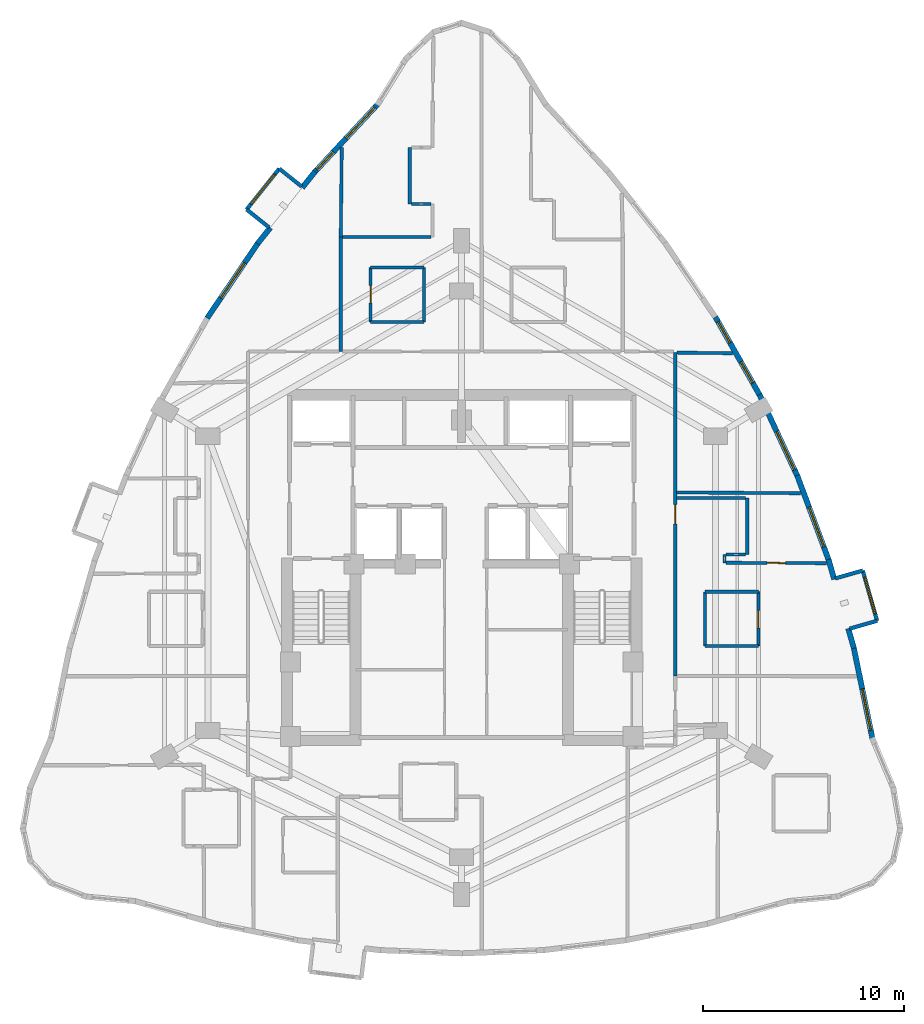
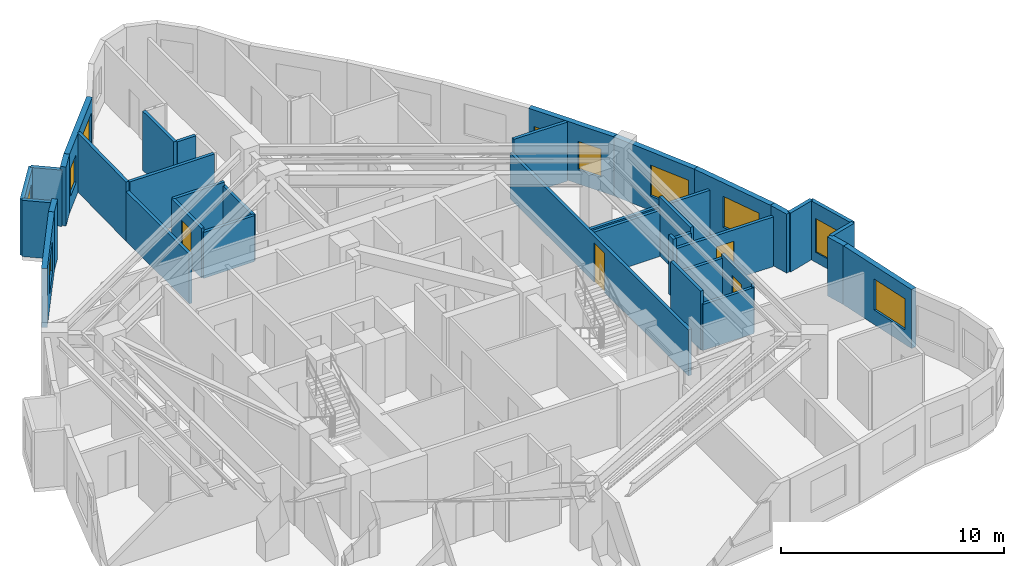
# One storey, part 12 of 14: 37 walls, 10 windows, 4 doors, 14 openings.
"""IFC4 building model written with IfcOpenShell, lengths in metres."""

from ifc_helpers import new_model, si_unit, direction, frame, frame_2d, origin, place, context, subcontext, project, spatial, rectangle, extrude, material, layer, layer_set, type_object, element, fill, save


model = new_model("IFC4")

# Units and contexts
model_context = context("Model", 3, precision=1e-05, world=origin(), true_north=direction((0.0, 1.0)))
body_context = subcontext(model_context, "Body", "Model", "MODEL_VIEW")
ifc_project = project(units=[si_unit("LENGTHUNIT", "METRE"), si_unit("AREAUNIT", "SQUARE_METRE"), si_unit("VOLUMEUNIT", "CUBIC_METRE"), si_unit("PLANEANGLEUNIT", "RADIAN"), si_unit("MASSUNIT", "GRAM", prefix="KILO")], contexts=[model_context])

# Site, building, storey
site_placement = place(None, origin())
site = spatial("IfcSite", under=ifc_project, at=site_placement, CompositionType="ELEMENT")
building_placement = place(site_placement, origin())
building = spatial("IfcBuilding", under=site, at=building_placement, Name="Miruveldt Soraemaru", CompositionType="ELEMENT")
storey_placement = place(building_placement, frame((0.0, 0.0, 131.89990234375)))
storey = spatial("IfcBuildingStorey", under=building, at=storey_placement, Name="L36", CompositionType="ELEMENT", Elevation=131.89990234375)

# Walls
ifc_material_1 = material(Name="White powder-coated aluminium EN AW-6060 T6", Category="aluminium")
ifc_layer_1 = layer(ifc_material_1, 0.18994140625, Name="White powder-coated aluminium EN AW-6060 T6", Category="aluminium")
ifc_layer_set_1 = layer_set([ifc_layer_1], Name="White powder-coated aluminium EN AW-6060 T6")
wall_type_1 = type_object("IfcWallType", Name="WALL-BAY-ALU190", PredefinedType="SOLIDWALL", material=ifc_layer_set_1)
for number, where, z_axis, x_axis, name in (
    (1, (36.060791015625, 62.7958984375, 0.0), (0.0, 0.0, 1.0), (-0.781737193764, 0.623608017817, 0.0), "L36 Bay Window Side Cheek 1L"),
    (2, (33.325439453125, 61.652099609375, 0.0), (0.0, 0.0, 1.0), (0.781737193764, -0.623608017817, 0.0), "L36 Bay Window Side Cheek 1R"),
):
    element("IfcWall", number, at=place(storey_placement, frame(where, z_axis=z_axis, x_axis=x_axis)), inside=storey, type_object=wall_type_1, Name=name, PredefinedType="SOLIDWALL", context=body_context, shape_type="SweptSolid", body=[
        extrude(rectangle(XDim=1.425048828125, YDim=0.18994140625, at=frame_2d((0.71240234375, 0.0))), origin(), (0.0, 0.0, 1.0), 3.085205078125),
    ])

# Wall, opening, window
wall_1_placement = place(storey_placement, frame((34.94677734375, 63.6845703125, 0.0), z_axis=(0.0, 0.0, 1.0), x_axis=(-0.623606546405, -0.781738367538, 0.0)))
wall_1 = element("IfcWall", 3, at=wall_1_placement, inside=storey, type_object=wall_type_1, Name="L36 Bay Window Front Frame 1", PredefinedType="SOLIDWALL", context=body_context, shape_type="SweptSolid", body=[
    extrude(rectangle(XDim=2.599853515625, YDim=0.18994140625, at=frame_2d((1.2998046875, 0.0))), origin(), (0.0, 0.0, 1.0), 3.085205078125),
])
opening_1_placement = place(wall_1_placement, frame((0.35009765625, 0.0, 0.550048828125)))
opening_1 = element("IfcOpeningElement", 4, at=opening_1_placement, cuts=wall_1, Name="Opening WN-6", PredefinedType="OPENING", context=body_context, shape_type="SweptSolid", body=[
    extrude(rectangle(XDim=1.89990234375, YDim=1.85009765625, at=frame_2d((0.949951171875, 0.925048828125))), frame((0.0, 0.10498046875, 0.0), z_axis=(0.0, -1.0, 0.0), x_axis=(1.0, 0.0, 0.0)), (0.0, 0.0, 1.0), 0.2099609375),
])
ifc_material_2 = material(Name="Triple low-e insulated glazing", Category="glass")
window_type_1 = type_object("IfcWindowType", Name="WIN-BAYW-1900x1850", PartitioningType="SINGLE_PANEL", PredefinedType="WINDOW", material=ifc_material_2)
window_1_placement = place(opening_1_placement, origin())
window_1 = element("IfcWindow", 5, at=window_1_placement, inside=storey, type_object=window_type_1, Name="L36 Projecting Bay Window 1", OverallHeight=1.85009765625, OverallWidth=1.89990234375, PartitioningType="SINGLE_PANEL", PredefinedType="WINDOW", context=body_context, shape_type="SweptSolid", body=[
    extrude(rectangle(XDim=1.89990234375, YDim=1.85009765625, at=frame_2d((0.949951171875, 0.925048828125))), frame((0.0, 0.030029296875, 0.0), z_axis=(0.0, -1.0, 0.0), x_axis=(1.0, 0.0, 0.0)), (0.0, 0.0, 1.0), 0.06005859375),
])
fill(opening_1, window_1)

# Walls
for number, where, z_axis, x_axis, name in (
    (6, (63.25537109375, 40.84375, 0.0), (0.0, 0.0, 1.0), (0.961452801096, 0.274970018845, 0.0), "L36 Bay Window Side Cheek 4L"),
    (7, (63.910400390625, 43.7353515625, 0.0), (0.0, 0.0, 1.0), (-0.961452801096, -0.274970018845, 0.0), "L36 Bay Window Side Cheek 4R"),
):
    element("IfcWall", number, at=place(storey_placement, frame(where, z_axis=z_axis, x_axis=x_axis)), inside=storey, type_object=wall_type_1, Name=name, PredefinedType="SOLIDWALL", context=body_context, shape_type="SweptSolid", body=[
        extrude(rectangle(XDim=1.425048828125, YDim=0.18994140625, at=frame_2d((0.71240234375, 0.0))), origin(), (0.0, 0.0, 1.0), 3.235107421875),
    ])

# Wall, opening, window
wall_2_placement = place(storey_placement, frame((64.62548828125, 41.235595703125, 0.0), z_axis=(0.0, 0.0, 1.0), x_axis=(-0.275031158597, 0.961435313373, 0.0)))
wall_2 = element("IfcWall", 8, at=wall_2_placement, inside=storey, type_object=wall_type_1, Name="L36 Bay Window Front Frame 4", PredefinedType="SOLIDWALL", context=body_context, shape_type="SweptSolid", body=[
    extrude(rectangle(XDim=2.60009765625, YDim=0.18994140625, at=frame_2d((1.300048828125, 0.0))), origin(), (0.0, 0.0, 1.0), 3.235107421875),
])
opening_2_placement = place(wall_2_placement, frame((0.35009765625, 0.0, 0.550048828125)))
opening_2 = element("IfcOpeningElement", 9, at=opening_2_placement, cuts=wall_2, Name="Opening WN-6", PredefinedType="OPENING", context=body_context, shape_type="SweptSolid", body=[
    extrude(rectangle(XDim=1.89990234375, YDim=1.85009765625, at=frame_2d((0.949951171875, 0.925048828125))), frame((0.0, 0.10498046875, 0.0), z_axis=(0.0, -1.0, 0.0), x_axis=(1.0, 0.0, 0.0)), (0.0, 0.0, 1.0), 0.2099609375),
])
window_2_placement = place(opening_2_placement, origin())
window_2 = element("IfcWindow", 10, at=window_2_placement, inside=storey, type_object=window_type_1, Name="L36 Projecting Bay Window 4", OverallHeight=1.85009765625, OverallWidth=1.89990234375, PartitioningType="SINGLE_PANEL", PredefinedType="WINDOW", context=body_context, shape_type="SweptSolid", body=[
    extrude(rectangle(XDim=1.89990234375, YDim=1.85009765625, at=frame_2d((0.949951171875, 0.925048828125))), frame((0.0, 0.030029296875, 0.0), z_axis=(0.0, -1.0, 0.0), x_axis=(1.0, 0.0, 0.0)), (0.0, 0.0, 1.0), 0.06005859375),
])
fill(opening_2, window_2)

# Wall, openings, windows
ifc_material_3 = material(Name="Precast concrete C45/55 (45 MPa)", Category="concrete")
ifc_layer_2 = layer(ifc_material_3, 0.27001953125, Name="Precast concrete C45/55 (45 MPa)", Category="concrete")
ifc_layer_set_2 = layer_set([ifc_layer_2], Name="Precast concrete C45/55 (45 MPa)")
wall_type_2 = type_object("IfcWallType", Name="WALL-EXT-PC270", PredefinedType="SOLIDWALL", material=ifc_layer_set_2)
wall_3_placement = place(storey_placement, frame((39.85302734375, 66.900390625, 0.0), z_axis=(0.0, 0.0, 1.0), x_axis=(-0.680890565033, -0.732385170828, 0.0)))
wall_3 = element("IfcWall", 11, at=wall_3_placement, inside=storey, type_object=wall_type_2, Name="L36 Precast Concrete Facade Wall 7", PredefinedType="SOLIDWALL", context=body_context, shape_type="SweptSolid", body=[
    extrude(rectangle(XDim=4.665283203125, YDim=0.27001953125, at=frame_2d((2.33251953125, 0.0))), origin(), (0.0, 0.0, 1.0), 3.235107421875),
])
opening_3_placement = place(wall_3_placement, frame((0.23388671875, 0.0, 0.800048828125)))
opening_3 = element("IfcOpeningElement", 12, at=opening_3_placement, cuts=wall_3, Name="Opening WN-1", PredefinedType="OPENING", context=body_context, shape_type="SweptSolid", body=[
    extrude(rectangle(XDim=2.10009765625, YDim=1.699951171875, at=frame_2d((1.050048828125, 0.85009765625))), frame((0.0, 0.14501953125, 0.0), z_axis=(0.0, -1.0, 0.0), x_axis=(1.0, 0.0, 0.0)), (0.0, 0.0, 1.0), 0.2900390625),
])
opening_4_placement = place(wall_3_placement, frame((3.257080078125, 0.0, 0.780029296875)))
opening_4 = element("IfcOpeningElement", 13, at=opening_4_placement, cuts=wall_3, Name="Opening WN-4", PredefinedType="OPENING", context=body_context, shape_type="SweptSolid", body=[
    extrude(rectangle(XDim=1.199951171875, YDim=1.550048828125, at=frame_2d((0.60009765625, 0.77490234375))), frame((0.0, 0.14501953125, 0.0), z_axis=(0.0, -1.0, 0.0), x_axis=(1.0, 0.0, 0.0)), (0.0, 0.0, 1.0), 0.2900390625),
])
window_type_2 = type_object("IfcWindowType", Name="WIN-PUNCH-1200x1550", PartitioningType="SINGLE_PANEL", PredefinedType="WINDOW", material=ifc_material_2)
window_3_placement = place(opening_4_placement, origin())
window_3 = element("IfcWindow", 14, at=window_3_placement, inside=storey, type_object=window_type_2, Name="L36 Punched Triple-Glazed Window 07.2", OverallHeight=1.550048828125, OverallWidth=1.199951171875, PartitioningType="SINGLE_PANEL", PredefinedType="WINDOW", context=body_context, shape_type="SweptSolid", body=[
    extrude(rectangle(XDim=1.199951171875, YDim=1.550048828125, at=frame_2d((0.60009765625, 0.77490234375))), frame((0.0, 0.030029296875, 0.0), z_axis=(0.0, -1.0, 0.0), x_axis=(1.0, 0.0, 0.0)), (0.0, 0.0, 1.0), 0.06005859375),
])
fill(opening_4, window_3)
window_type_3 = type_object("IfcWindowType", Name="WIN-PUNCH-2100x1700", PartitioningType="SINGLE_PANEL", PredefinedType="WINDOW", material=ifc_material_2)
window_4_placement = place(opening_3_placement, origin())
window_4 = element("IfcWindow", 15, at=window_4_placement, inside=storey, type_object=window_type_3, Name="L36 Punched Triple-Glazed Window 07.1", OverallHeight=1.699951171875, OverallWidth=2.10009765625, PartitioningType="SINGLE_PANEL", PredefinedType="WINDOW", context=body_context, shape_type="SweptSolid", body=[
    extrude(rectangle(XDim=2.10009765625, YDim=1.699951171875, at=frame_2d((1.050048828125, 0.85009765625))), frame((0.0, 0.030029296875, 0.0), z_axis=(0.0, -1.0, 0.0), x_axis=(1.0, 0.0, 0.0)), (0.0, 0.0, 1.0), 0.06005859375),
])
fill(opening_3, window_4)

# Walls
for number, where, z_axis, x_axis, name in (
    (16, (36.72216796875, 63.53662109375, 0.0), (0.0, 0.0, 1.0), (-0.623557666191, -0.78177735765, 0.0), "L36 Precast Pier Wall 8A"),
    (17, (34.501220703125, 60.752685546875, 0.0), (0.0, 0.0, 1.0), (-0.623557666191, -0.78177735765, 0.0), "L36 Precast Pier Wall 8B"),
):
    element("IfcWall", number, at=place(storey_placement, frame(where, z_axis=z_axis, x_axis=x_axis)), inside=storey, type_object=wall_type_2, Name=name, PredefinedType="SOLIDWALL", context=body_context, shape_type="SweptSolid", body=[
        extrude(rectangle(XDim=1.021484375, YDim=0.27001953125, at=frame_2d((0.5107421875, 0.0))), origin(), (0.0, 0.0, 1.0), 3.235107421875),
    ])

# Wall, opening, window
wall_4_placement = place(storey_placement, frame((33.905517578125, 60.010498046875, 0.0), z_axis=(0.0, 0.0, 1.0), x_axis=(-0.560820718135, -0.82793726943, 0.0)))
wall_4 = element("IfcWall", 18, at=wall_4_placement, inside=storey, type_object=wall_type_2, Name="L36 Precast Concrete Facade Wall 9", PredefinedType="SOLIDWALL", context=body_context, shape_type="SweptSolid", body=[
    extrude(rectangle(XDim=4.52685546875, YDim=0.27001953125, at=frame_2d((2.263427734375, 0.0))), origin(), (0.0, 0.0, 1.0), 3.235107421875),
])
opening_5_placement = place(wall_4_placement, frame((1.214111328125, 0.0, 0.800048828125)))
opening_5 = element("IfcOpeningElement", 19, at=opening_5_placement, cuts=wall_4, Name="Opening WN-1", PredefinedType="OPENING", context=body_context, shape_type="SweptSolid", body=[
    extrude(rectangle(XDim=2.10009765625, YDim=1.699951171875, at=frame_2d((1.050048828125, 0.85009765625))), frame((0.0, 0.14501953125, 0.0), z_axis=(0.0, -1.0, 0.0), x_axis=(1.0, 0.0, 0.0)), (0.0, 0.0, 1.0), 0.2900390625),
])
window_5_placement = place(opening_5_placement, origin())
window_5 = element("IfcWindow", 20, at=window_5_placement, inside=storey, type_object=window_type_3, Name="L36 Punched Triple-Glazed Window 09.1", OverallHeight=1.699951171875, OverallWidth=2.10009765625, PartitioningType="SINGLE_PANEL", PredefinedType="WINDOW", context=body_context, shape_type="SweptSolid", body=[
    extrude(rectangle(XDim=2.10009765625, YDim=1.699951171875, at=frame_2d((1.050048828125, 0.85009765625))), frame((0.0, 0.030029296875, 0.0), z_axis=(0.0, -1.0, 0.0), x_axis=(1.0, 0.0, 0.0)), (0.0, 0.0, 1.0), 0.06005859375),
])
fill(opening_5, window_5)

wall_5_placement = place(storey_placement, frame((64.398681640625, 35.37353515625, 0.0), z_axis=(0.0, 0.0, 1.0), x_axis=(-0.201567284441, 0.979474670343, 0.0)))
wall_5 = element("IfcWall", 21, at=wall_5_placement, inside=storey, type_object=wall_type_2, Name="L36 Precast Concrete Facade Wall 35", PredefinedType="SOLIDWALL", context=body_context, shape_type="SweptSolid", body=[
    extrude(rectangle(XDim=4.66552734375, YDim=0.27001953125, at=frame_2d((2.332763671875, 0.0))), origin(), (0.0, 0.0, 1.0), 3.235107421875),
])
opening_6_placement = place(wall_5_placement, frame((0.43505859375, 0.0, 0.800048828125)))
opening_6 = element("IfcOpeningElement", 22, at=opening_6_placement, cuts=wall_5, Name="Opening WN-1", PredefinedType="OPENING", context=body_context, shape_type="SweptSolid", body=[
    extrude(rectangle(XDim=2.10009765625, YDim=1.699951171875, at=frame_2d((1.050048828125, 0.85009765625))), frame((0.0, 0.14501953125, 0.0), z_axis=(0.0, -1.0, 0.0), x_axis=(1.0, 0.0, 0.0)), (0.0, 0.0, 1.0), 0.2900390625),
])
window_6_placement = place(opening_6_placement, origin())
window_6 = element("IfcWindow", 23, at=window_6_placement, inside=storey, type_object=window_type_3, Name="L36 Punched Triple-Glazed Window 35.1", OverallHeight=1.699951171875, OverallWidth=2.10009765625, PartitioningType="SINGLE_PANEL", PredefinedType="WINDOW", context=body_context, shape_type="SweptSolid", body=[
    extrude(rectangle(XDim=2.10009765625, YDim=1.699951171875, at=frame_2d((1.050048828125, 0.85009765625))), frame((0.0, 0.030029296875, 0.0), z_axis=(0.0, -1.0, 0.0), x_axis=(1.0, 0.0, 0.0)), (0.0, 0.0, 1.0), 0.06005859375),
])
fill(opening_6, window_6)

# Walls
wall_6_placement = place(storey_placement, frame((63.47509765625, 39.875244140625, 0.0), z_axis=(0.0, 0.0, 1.0), x_axis=(-0.275068310287, 0.961424684869, 0.0)))
element("IfcWall", 24, at=wall_6_placement, inside=storey, type_object=wall_type_2, Name="L36 Precast Pier Wall 36A", PredefinedType="SOLIDWALL", context=body_context, shape_type="SweptSolid", body=[
    extrude(rectangle(XDim=1.021484375, YDim=0.27001953125, at=frame_2d((0.5107421875, 0.0))), origin(), (0.0, 0.0, 1.0), 3.235107421875),
])
wall_7_placement = place(storey_placement, frame((62.49560546875, 43.299560546875, 0.0), z_axis=(0.0, 0.0, 1.0), x_axis=(-0.274910560524, 0.961469803849, 0.0)))
element("IfcWall", 25, at=wall_7_placement, inside=storey, type_object=wall_type_2, Name="L36 Precast Pier Wall 36B", PredefinedType="SOLIDWALL", context=body_context, shape_type="SweptSolid", body=[
    extrude(rectangle(XDim=1.021240234375, YDim=0.27001953125, at=frame_2d((0.5107421875, 0.0))), origin(), (0.0, 0.0, 1.0), 3.235107421875),
])

# Wall, opening, window
wall_8_placement = place(storey_placement, frame((62.23681640625, 44.215087890625, 0.0), z_axis=(0.0, 0.0, 1.0), x_axis=(-0.349071881832, 0.937095950965, 0.0)))
wall_8 = element("IfcWall", 26, at=wall_8_placement, inside=storey, type_object=wall_type_2, Name="L36 Precast Concrete Facade Wall 37", PredefinedType="SOLIDWALL", context=body_context, shape_type="SweptSolid", body=[
    extrude(rectangle(XDim=4.527099609375, YDim=0.27001953125, at=frame_2d((2.263671875, 0.0))), origin(), (0.0, 0.0, 1.0), 3.235107421875),
])
opening_7_placement = place(wall_8_placement, frame((0.736083984375, 0.0, 0.800048828125)))
opening_7 = element("IfcOpeningElement", 27, at=opening_7_placement, cuts=wall_8, Name="Opening WN-1", PredefinedType="OPENING", context=body_context, shape_type="SweptSolid", body=[
    extrude(rectangle(XDim=2.10009765625, YDim=1.699951171875, at=frame_2d((1.050048828125, 0.85009765625))), frame((0.0, 0.14501953125, 0.0), z_axis=(0.0, -1.0, 0.0), x_axis=(1.0, 0.0, 0.0)), (0.0, 0.0, 1.0), 0.2900390625),
])
window_7_placement = place(opening_7_placement, origin())
window_7 = element("IfcWindow", 28, at=window_7_placement, inside=storey, type_object=window_type_3, Name="L36 Punched Triple-Glazed Window 37.1", OverallHeight=1.699951171875, OverallWidth=2.10009765625, PartitioningType="SINGLE_PANEL", PredefinedType="WINDOW", context=body_context, shape_type="SweptSolid", body=[
    extrude(rectangle(XDim=2.10009765625, YDim=1.699951171875, at=frame_2d((1.050048828125, 0.85009765625))), frame((0.0, 0.030029296875, 0.0), z_axis=(0.0, -1.0, 0.0), x_axis=(1.0, 0.0, 0.0)), (0.0, 0.0, 1.0), 0.06005859375),
])
fill(opening_7, window_7)

wall_9_placement = place(storey_placement, frame((60.68359375, 48.392822265625, 0.0), z_axis=(0.0, 0.0, 1.0), x_axis=(-0.422317939259, 0.90644776914, 0.0)))
wall_9 = element("IfcWall", 29, at=wall_9_placement, inside=storey, type_object=wall_type_2, Name="L36 Precast Concrete Facade Wall 38", PredefinedType="SOLIDWALL", context=body_context, shape_type="SweptSolid", body=[
    extrude(rectangle(XDim=4.498779296875, YDim=0.27001953125, at=frame_2d((2.24951171875, 0.0))), origin(), (0.0, 0.0, 1.0), 3.235107421875),
])
opening_8_placement = place(wall_9_placement, frame((0.376953125, 0.0, 0.800048828125)))
opening_8 = element("IfcOpeningElement", 30, at=opening_8_placement, cuts=wall_9, Name="Opening WN-1", PredefinedType="OPENING", context=body_context, shape_type="SweptSolid", body=[
    extrude(rectangle(XDim=2.10009765625, YDim=1.699951171875, at=frame_2d((1.050048828125, 0.85009765625))), frame((0.0, 0.14501953125, 0.0), z_axis=(0.0, -1.0, 0.0), x_axis=(1.0, 0.0, 0.0)), (0.0, 0.0, 1.0), 0.2900390625),
])
window_8_placement = place(opening_8_placement, origin())
window_8 = element("IfcWindow", 31, at=window_8_placement, inside=storey, type_object=window_type_3, Name="L36 Punched Triple-Glazed Window 38.1", OverallHeight=1.699951171875, OverallWidth=2.10009765625, PartitioningType="SINGLE_PANEL", PredefinedType="WINDOW", context=body_context, shape_type="SweptSolid", body=[
    extrude(rectangle(XDim=2.10009765625, YDim=1.699951171875, at=frame_2d((1.050048828125, 0.85009765625))), frame((0.0, 0.030029296875, 0.0), z_axis=(0.0, -1.0, 0.0), x_axis=(1.0, 0.0, 0.0)), (0.0, 0.0, 1.0), 0.06005859375),
])
fill(opening_8, window_8)

# Wall, openings, windows
wall_10_placement = place(storey_placement, frame((58.81591796875, 52.40869140625, 0.0), z_axis=(0.0, 0.0, 1.0), x_axis=(-0.493401387578, 0.869801742201, 0.0)))
wall_10 = element("IfcWall", 32, at=wall_10_placement, inside=storey, type_object=wall_type_2, Name="L36 Precast Concrete Facade Wall 39", PredefinedType="SOLIDWALL", context=body_context, shape_type="SweptSolid", body=[
    extrude(rectangle(XDim=4.498779296875, YDim=0.27001953125, at=frame_2d((2.24951171875, 0.0))), origin(), (0.0, 0.0, 1.0), 3.235107421875),
])
opening_9_placement = place(wall_10_placement, frame((0.73291015625, 0.0, 0.780029296875)))
opening_9 = element("IfcOpeningElement", 33, at=opening_9_placement, cuts=wall_10, Name="Opening WN-4", PredefinedType="OPENING", context=body_context, shape_type="SweptSolid", body=[
    extrude(rectangle(XDim=1.199951171875, YDim=1.550048828125, at=frame_2d((0.60009765625, 0.77490234375))), frame((0.0, 0.14501953125, 0.0), z_axis=(0.0, -1.0, 0.0), x_axis=(1.0, 0.0, 0.0)), (0.0, 0.0, 1.0), 0.2900390625),
])
opening_10_placement = place(wall_10_placement, frame((3.02490234375, 0.0, 0.780029296875)))
opening_10 = element("IfcOpeningElement", 34, at=opening_10_placement, cuts=wall_10, Name="Opening WN-4", PredefinedType="OPENING", context=body_context, shape_type="SweptSolid", body=[
    extrude(rectangle(XDim=1.199951171875, YDim=1.550048828125, at=frame_2d((0.60009765625, 0.77490234375))), frame((0.0, 0.14501953125, 0.0), z_axis=(0.0, -1.0, 0.0), x_axis=(1.0, 0.0, 0.0)), (0.0, 0.0, 1.0), 0.2900390625),
])
window_9_placement = place(opening_9_placement, origin())
window_9 = element("IfcWindow", 35, at=window_9_placement, inside=storey, type_object=window_type_2, Name="L36 Punched Triple-Glazed Window 39.1", OverallHeight=1.550048828125, OverallWidth=1.199951171875, PartitioningType="SINGLE_PANEL", PredefinedType="WINDOW", context=body_context, shape_type="SweptSolid", body=[
    extrude(rectangle(XDim=1.199951171875, YDim=1.550048828125, at=frame_2d((0.60009765625, 0.77490234375))), frame((0.0, 0.030029296875, 0.0), z_axis=(0.0, -1.0, 0.0), x_axis=(1.0, 0.0, 0.0)), (0.0, 0.0, 1.0), 0.06005859375),
])
fill(opening_9, window_9)
window_10_placement = place(opening_10_placement, origin())
window_10 = element("IfcWindow", 36, at=window_10_placement, inside=storey, type_object=window_type_2, Name="L36 Punched Triple-Glazed Window 39.2", OverallHeight=1.550048828125, OverallWidth=1.199951171875, PartitioningType="SINGLE_PANEL", PredefinedType="WINDOW", context=body_context, shape_type="SweptSolid", body=[
    extrude(rectangle(XDim=1.199951171875, YDim=1.550048828125, at=frame_2d((0.60009765625, 0.77490234375))), frame((0.0, 0.030029296875, 0.0), z_axis=(0.0, -1.0, 0.0), x_axis=(1.0, 0.0, 0.0)), (0.0, 0.0, 1.0), 0.06005859375),
])
fill(opening_10, window_10)

# Wall, opening, door
ifc_material_4 = material(Name="Gypsum plasterboard lining", Category="gypsum")
ifc_layer_3 = layer(ifc_material_4, 0.14990234375, Name="Gypsum plasterboard lining", Category="gypsum")
ifc_layer_set_3 = layer_set([ifc_layer_3], Name="Gypsum plasterboard lining")
wall_type_3 = type_object("IfcWallType", Name="WALL-INT-PLUMB", PredefinedType="PLUMBINGWALL", material=ifc_layer_set_3)
wall_11_placement = place(storey_placement, frame((39.47998046875, 58.780029296875, 0.0), z_axis=(0.0, 0.0, 1.0), x_axis=(0.0, -1.0, 0.0)))
wall_11 = element("IfcWall", 37, at=wall_11_placement, inside=storey, type_object=wall_type_3, Name="L36 Partition Wall 19", PredefinedType="PLUMBINGWALL", context=body_context, shape_type="SweptSolid", body=[
    extrude(rectangle(XDim=2.699951171875, YDim=0.14990234375, at=frame_2d((1.35009765625, 0.0))), origin(), (0.0, 0.0, 1.0), 2.72314453125),
])
opening_11_placement = place(wall_11_placement, frame((0.909912109375, 0.0, 0.0)))
opening_11 = element("IfcOpeningElement", 38, at=opening_11_placement, cuts=wall_11, Name="Opening FD3", PredefinedType="OPENING", context=body_context, shape_type="SweptSolid", body=[
    extrude(rectangle(XDim=0.85009765625, YDim=2.10009765625, at=frame_2d((0.425048828125, 1.050048828125))), frame((0.0, 0.0849609375, 0.0), z_axis=(0.0, -1.0, 0.0), x_axis=(1.0, 0.0, 0.0)), (0.0, 0.0, 1.0), 0.169921875),
])
ifc_material_5 = material(Name="Anodised aluminium EN AW-6063 T6", Category="aluminium")
door_type_1 = type_object("IfcDoorType", Name="DOOR-FD3-850", OperationType="NOTDEFINED", PredefinedType="DOOR", material=ifc_material_5)
door_1_placement = place(opening_11_placement, origin())
door_1 = element("IfcDoor", 39, at=door_1_placement, inside=storey, type_object=door_type_1, Name="L36 Unit 3602 BTH Door", OperationType="SINGLE_SWING_LEFT", OverallHeight=2.10009765625, OverallWidth=0.85009765625, PredefinedType="DOOR", context=body_context, shape_type="SweptSolid", body=[
    extrude(rectangle(XDim=0.85009765625, YDim=2.10009765625, at=frame_2d((0.425048828125, 1.050048828125))), frame((0.0, 0.02490234375, 0.0), z_axis=(0.0, -1.0, 0.0), x_axis=(1.0, 0.0, 0.0)), (0.0, 0.0, 1.0), 0.050048828125),
])
fill(opening_11, door_1)

wall_12_placement = place(storey_placement, frame((58.72998046875, 39.97998046875, 0.0), z_axis=(0.0, 0.0, 1.0), x_axis=(0.0, 1.0, 0.0)))
wall_12 = element("IfcWall", 40, at=wall_12_placement, inside=storey, type_object=wall_type_3, Name="L36 Partition Wall 50", PredefinedType="PLUMBINGWALL", context=body_context, shape_type="SweptSolid", body=[
    extrude(rectangle(XDim=2.699951171875, YDim=0.14990234375, at=frame_2d((1.35009765625, 0.0))), origin(), (0.0, 0.0, 1.0), 2.72314453125),
])
opening_12_placement = place(wall_12_placement, frame((0.909912109375, 0.0, 0.0)))
opening_12 = element("IfcOpeningElement", 41, at=opening_12_placement, cuts=wall_12, Name="Opening FD3", PredefinedType="OPENING", context=body_context, shape_type="SweptSolid", body=[
    extrude(rectangle(XDim=0.85009765625, YDim=2.10009765625, at=frame_2d((0.425048828125, 1.050048828125))), frame((0.0, 0.0849609375, 0.0), z_axis=(0.0, -1.0, 0.0), x_axis=(1.0, 0.0, 0.0)), (0.0, 0.0, 1.0), 0.169921875),
])
door_2_placement = place(opening_12_placement, origin())
door_2 = element("IfcDoor", 42, at=door_2_placement, inside=storey, type_object=door_type_1, Name="L36 Unit 3606 BTH Door", OperationType="SINGLE_SWING_LEFT", OverallHeight=2.10009765625, OverallWidth=0.85009765625, PredefinedType="DOOR", context=body_context, shape_type="SweptSolid", body=[
    extrude(rectangle(XDim=0.85009765625, YDim=2.10009765625, at=frame_2d((0.425048828125, 1.050048828125))), frame((0.0, 0.02490234375, 0.0), z_axis=(0.0, -1.0, 0.0), x_axis=(1.0, 0.0, 0.0)), (0.0, 0.0, 1.0), 0.050048828125),
])
fill(opening_12, door_2)

# Walls
wall_13_placement = place(storey_placement, frame((42.1298828125, 56.080078125, 0.0), z_axis=(0.0, 0.0, 1.0), x_axis=(0.0, 1.0, 0.0)))
element("IfcWall", 43, at=wall_13_placement, inside=storey, type_object=wall_type_3, Name="L36 Partition Wall 17", PredefinedType="PLUMBINGWALL", context=body_context, shape_type="SweptSolid", body=[
    extrude(rectangle(XDim=2.699951171875, YDim=0.14990234375, at=frame_2d((1.35009765625, 0.0))), origin(), (0.0, 0.0, 1.0), 2.523193359375),
])
wall_14_placement = place(storey_placement, frame((56.080078125, 42.679931640625, 0.0), z_axis=(0.0, 0.0, 1.0), x_axis=(0.0, -1.0, 0.0)))
element("IfcWall", 44, at=wall_14_placement, inside=storey, type_object=wall_type_3, Name="L36 Partition Wall 52", PredefinedType="PLUMBINGWALL", context=body_context, shape_type="SweptSolid", body=[
    extrude(rectangle(XDim=2.699951171875, YDim=0.14990234375, at=frame_2d((1.35009765625, 0.0))), origin(), (0.0, 0.0, 1.0), 3.235107421875),
])
wall_15_placement = place(storey_placement, frame((42.1298828125, 58.780029296875, 0.0), z_axis=(0.0, 0.0, 1.0), x_axis=(-1.0, 0.0, 0.0)))
element("IfcWall", 45, at=wall_15_placement, inside=storey, type_object=wall_type_3, Name="L36 Partition Wall 18", PredefinedType="PLUMBINGWALL", context=body_context, shape_type="SweptSolid", body=[
    extrude(rectangle(XDim=2.64990234375, YDim=0.14990234375, at=frame_2d((1.324951171875, 0.0))), origin(), (0.0, 0.0, 1.0), 2.72314453125),
])
for number, where, z_axis, x_axis, name in (
    (46, (39.47998046875, 56.080078125, 0.0), (0.0, 0.0, 1.0), (1.0, 0.0, 0.0), "L36 Partition Wall 20"),
    (47, (58.72998046875, 42.679931640625, 0.0), (0.0, 0.0, 1.0), (-1.0, 0.0, 0.0), "L36 Partition Wall 51"),
    (48, (56.080078125, 39.97998046875, 0.0), (0.0, 0.0, 1.0), (1.0, 0.0, 0.0), "L36 Partition Wall 53"),
):
    element("IfcWall", number, at=place(storey_placement, frame(where, z_axis=z_axis, x_axis=x_axis)), inside=storey, type_object=wall_type_3, Name=name, PredefinedType="PLUMBINGWALL", context=body_context, shape_type="SweptSolid", body=[
        extrude(rectangle(XDim=2.64990234375, YDim=0.14990234375, at=frame_2d((1.324951171875, 0.0))), origin(), (0.0, 0.0, 1.0), 2.523193359375),
    ])

# Wall, opening, door
ifc_material_6 = material(Name="Concrete C40/50 (40 MPa)", Category="concrete")
ifc_layer_4 = layer(ifc_material_6, 0.159912109375, Name="Concrete C40/50 (40 MPa)", Category="concrete")
ifc_layer_set_4 = layer_set([ifc_layer_4], Name="Concrete C40/50 (40 MPa)")
wall_type_4 = type_object("IfcWallType", Name="WALL-INT-RC160", PredefinedType="SOLIDWALL", material=ifc_layer_set_4)
wall_16_placement = place(storey_placement, frame((54.60009765625, 38.506103515625, 0.0), z_axis=(0.0, 0.0, 1.0), x_axis=(0.0, 1.0, 0.0)))
wall_16 = element("IfcWall", 49, at=wall_16_placement, inside=storey, type_object=wall_type_4, Name="L36 Partition Wall 7", PredefinedType="SOLIDWALL", context=body_context, shape_type="SweptSolid", body=[
    extrude(rectangle(XDim=16.037841796875, YDim=0.159912109375, at=frame_2d((8.01904296875, 0.0))), origin(), (0.0, 0.0, 1.0), 2.523193359375),
])
opening_13_placement = place(wall_16_placement, frame((7.5439453125, 0.0, 0.0)))
opening_13 = element("IfcOpeningElement", 50, at=opening_13_placement, cuts=wall_16, Name="Opening FD2", PredefinedType="OPENING", context=body_context, shape_type="SweptSolid", body=[
    extrude(rectangle(XDim=0.949951171875, YDim=2.14990234375, at=frame_2d((0.47509765625, 1.074951171875))), frame((0.0, 0.08984375, 0.0), z_axis=(0.0, -1.0, 0.0), x_axis=(1.0, 0.0, 0.0)), (0.0, 0.0, 1.0), 0.179931640625),
])
door_type_2 = type_object("IfcDoorType", Name="DOOR-FD2-950", OperationType="NOTDEFINED", PredefinedType="DOOR", material=ifc_material_5)
door_3_placement = place(opening_13_placement, origin())
door_3 = element("IfcDoor", 51, at=door_3_placement, inside=storey, type_object=door_type_2, Name="L36 Unit 3606 Entrance Fire Door", OperationType="SINGLE_SWING_RIGHT", OverallHeight=2.14990234375, OverallWidth=0.949951171875, PredefinedType="DOOR", context=body_context, shape_type="SweptSolid", body=[
    extrude(rectangle(XDim=0.949951171875, YDim=2.14990234375, at=frame_2d((0.47509765625, 1.074951171875))), frame((0.0, 0.02490234375, 0.0), z_axis=(0.0, -1.0, 0.0), x_axis=(1.0, 0.0, 0.0)), (0.0, 0.0, 1.0), 0.050048828125),
])
fill(opening_13, door_3)

wall_17_placement = place(storey_placement, frame((62.111083984375, 44.097900390625, 0.0), z_axis=(0.0, 0.0, 1.0), x_axis=(-0.999992692541, 0.003822939275, 0.0)))
wall_17 = element("IfcWall", 52, at=wall_17_placement, inside=storey, type_object=wall_type_4, Name="L36 Partition Wall 54", PredefinedType="SOLIDWALL", context=body_context, shape_type="SweptSolid", body=[
    extrude(rectangle(XDim=4.981201171875, YDim=0.159912109375, at=frame_2d((2.49072265625, 0.0))), origin(), (0.0, 0.0, 1.0), 2.72314453125),
])
opening_14_placement = place(wall_17_placement, frame((2.031005859375, 0.0, 0.0)))
opening_14 = element("IfcOpeningElement", 53, at=opening_14_placement, cuts=wall_17, Name="Opening D3A", PredefinedType="OPENING", context=body_context, shape_type="SweptSolid", body=[
    extrude(rectangle(XDim=0.919921875, YDim=2.10009765625, at=frame_2d((0.4599609375, 1.050048828125))), frame((0.0, 0.08984375, 0.0), z_axis=(0.0, -1.0, 0.0), x_axis=(1.0, 0.0, 0.0)), (0.0, 0.0, 1.0), 0.179931640625),
])
door_type_3 = type_object("IfcDoorType", Name="DOOR-INT-920", OperationType="NOTDEFINED", PredefinedType="DOOR", material=ifc_material_5)
door_4_placement = place(opening_14_placement, origin())
door_4 = element("IfcDoor", 54, at=door_4_placement, inside=storey, type_object=door_type_3, Name="L36 Unit 3606 BD1 Door", OperationType="SINGLE_SWING_RIGHT", OverallHeight=2.10009765625, OverallWidth=0.919921875, PredefinedType="DOOR", context=body_context, shape_type="SweptSolid", body=[
    extrude(rectangle(XDim=0.919921875, YDim=2.10009765625, at=frame_2d((0.4599609375, 1.050048828125))), frame((0.0, 0.02490234375, 0.0), z_axis=(0.0, -1.0, 0.0), x_axis=(1.0, 0.0, 0.0)), (0.0, 0.0, 1.0), 0.050048828125),
])
fill(opening_14, door_4)

# Walls
wall_18_placement = place(storey_placement, frame((54.6650390625, 47.609375, 0.0), z_axis=(0.0, 0.0, 1.0), x_axis=(0.999980653054, -0.006220411368, 0.0)))
element("IfcWall", 55, at=wall_18_placement, inside=storey, type_object=wall_type_4, Name="L36 Partition Wall 58", PredefinedType="SOLIDWALL", context=body_context, shape_type="SweptSolid", body=[
    extrude(rectangle(XDim=6.161865234375, YDim=0.159912109375, at=frame_2d((3.0810546875, 0.0))), origin(), (0.0, 0.0, 1.0), 2.523193359375),
])
wall_19_placement = place(storey_placement, frame((38.0, 54.60302734375, 0.0), z_axis=(0.0, 0.0, 1.0), x_axis=(0.0, 1.0, 0.0)))
element("IfcWall", 56, at=wall_19_placement, inside=storey, type_object=wall_type_4, Name="L36 Partition Wall 14", PredefinedType="SOLIDWALL", context=body_context, shape_type="SweptSolid", body=[
    extrude(rectangle(XDim=5.677001953125, YDim=0.159912109375, at=frame_2d((2.83837890625, 0.0))), origin(), (0.0, 0.0, 1.0), 2.72314453125),
])
wall_20_placement = place(storey_placement, frame((38.0, 60.282958984375, 0.0), z_axis=(0.0, 0.0, 1.0), x_axis=(0.011442527224, 0.999934532142, 0.0)))
element("IfcWall", 57, at=wall_20_placement, inside=storey, type_object=wall_type_4, Name="L36 Partition Wall 15", PredefinedType="SOLIDWALL", context=body_context, shape_type="SweptSolid", body=[
    extrude(rectangle(XDim=4.459228515625, YDim=0.159912109375, at=frame_2d((2.2294921875, 0.0))), origin(), (0.0, 0.0, 1.0), 3.235107421875),
])
wall_21_placement = place(storey_placement, frame((42.469970703125, 60.282958984375, 0.0), z_axis=(0.0, 0.0, 1.0), x_axis=(-1.0, 0.0, 0.0)))
element("IfcWall", 58, at=wall_21_placement, inside=storey, type_object=wall_type_4, Name="L36 Partition Wall 26", PredefinedType="SOLIDWALL", context=body_context, shape_type="SweptSolid", body=[
    extrude(rectangle(XDim=4.389892578125, YDim=0.159912109375, at=frame_2d((2.19482421875, 0.0))), origin(), (0.0, 0.0, 1.0), 3.235107421875),
])
wall_22_placement = place(storey_placement, frame((58.10009765625, 47.330078125, 0.0), z_axis=(0.0, 0.0, 1.0), x_axis=(-1.0, 0.0, 0.0)))
element("IfcWall", 59, at=wall_22_placement, inside=storey, type_object=wall_type_4, Name="L36 Partition Wall 57", PredefinedType="SOLIDWALL", context=body_context, shape_type="SweptSolid", body=[
    extrude(rectangle(XDim=3.43505859375, YDim=0.159912109375, at=frame_2d((1.717529296875, 0.0))), origin(), (0.0, 0.0, 1.0), 2.523193359375),
])
for number, where, z_axis, x_axis, name in (
    (60, (41.429931640625, 64.72998046875, 0.0), (0.0, 0.0, 1.0), (0.0, -1.0, 0.0), "L36 Partition Wall 23"),
    (61, (58.179931640625, 44.530029296875, 0.0), (0.0, 0.0, 1.0), (0.0, 1.0, 0.0), "L36 Partition Wall 56"),
):
    element("IfcWall", number, at=place(storey_placement, frame(where, z_axis=z_axis, x_axis=x_axis)), inside=storey, type_object=wall_type_4, Name=name, PredefinedType="SOLIDWALL", context=body_context, shape_type="SweptSolid", body=[
        extrude(rectangle(XDim=2.800048828125, YDim=0.159912109375, at=frame_2d((1.39990234375, 0.0))), origin(), (0.0, 0.0, 1.0), 3.235107421875),
    ])
wall_23_placement = place(storey_placement, frame((54.68603515625, 54.549072265625, 0.0), z_axis=(0.0, 0.0, 1.0), x_axis=(0.999936949583, -0.011229285754, 0.0)))
element("IfcWall", 62, at=wall_23_placement, inside=storey, type_object=wall_type_4, Name="L36 Partition Wall 37", PredefinedType="SOLIDWALL", context=body_context, shape_type="SweptSolid", body=[
    extrude(rectangle(XDim=2.76123046875, YDim=0.159912109375, at=frame_2d((1.380615234375, 0.0))), origin(), (0.0, 0.0, 1.0), 3.235107421875),
])
wall_24_placement = place(storey_placement, frame((57.1298828125, 44.530029296875, 0.0), z_axis=(0.0, 0.0, 1.0), x_axis=(1.0, 0.0, 0.0)))
element("IfcWall", 63, at=wall_24_placement, inside=storey, type_object=wall_type_4, Name="L36 Partition Wall 55", PredefinedType="SOLIDWALL", context=body_context, shape_type="SweptSolid", body=[
    extrude(rectangle(XDim=0.97021484375, YDim=0.159912109375, at=frame_2d((0.485107421875, 0.0))), origin(), (0.0, 0.0, 1.0), 2.97314453125),
])
wall_25_placement = place(storey_placement, frame((41.510009765625, 61.929931640625, 0.0), z_axis=(0.0, 0.0, 1.0), x_axis=(1.0, 0.0, 0.0)))
element("IfcWall", 64, at=wall_25_placement, inside=storey, type_object=wall_type_4, Name="L36 Partition Wall 24", PredefinedType="SOLIDWALL", context=body_context, shape_type="SweptSolid", body=[
    extrude(rectangle(XDim=0.9599609375, YDim=0.159912109375, at=frame_2d((0.47998046875, 0.0))), origin(), (0.0, 0.0, 1.0), 3.235107421875),
])
wall_26_placement = place(storey_placement, frame((57.050048828125, 44.116943359375, 0.0), z_axis=(0.0, 0.0, 1.0), x_axis=(0.0, 1.0, 0.0)))
element("IfcWall", 65, at=wall_26_placement, inside=storey, type_object=wall_type_4, Name="L36 Partition Wall 88", PredefinedType="SOLIDWALL", context=body_context, shape_type="SweptSolid", body=[
    extrude(rectangle(XDim=0.4130859375, YDim=0.159912109375, at=frame_2d((0.20654296875, 0.0))), origin(), (0.0, 0.0, 1.0), 3.235107421875),
])

save(model, "model.ifc")
